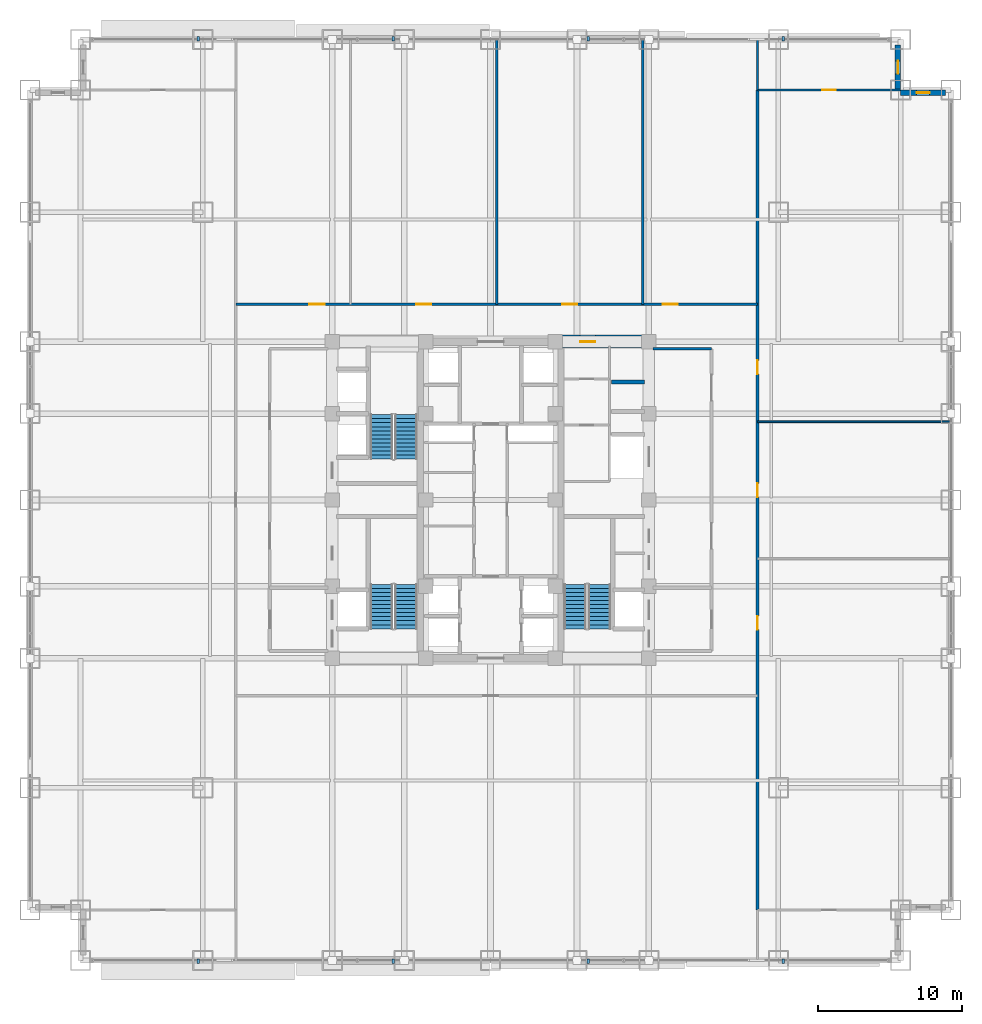
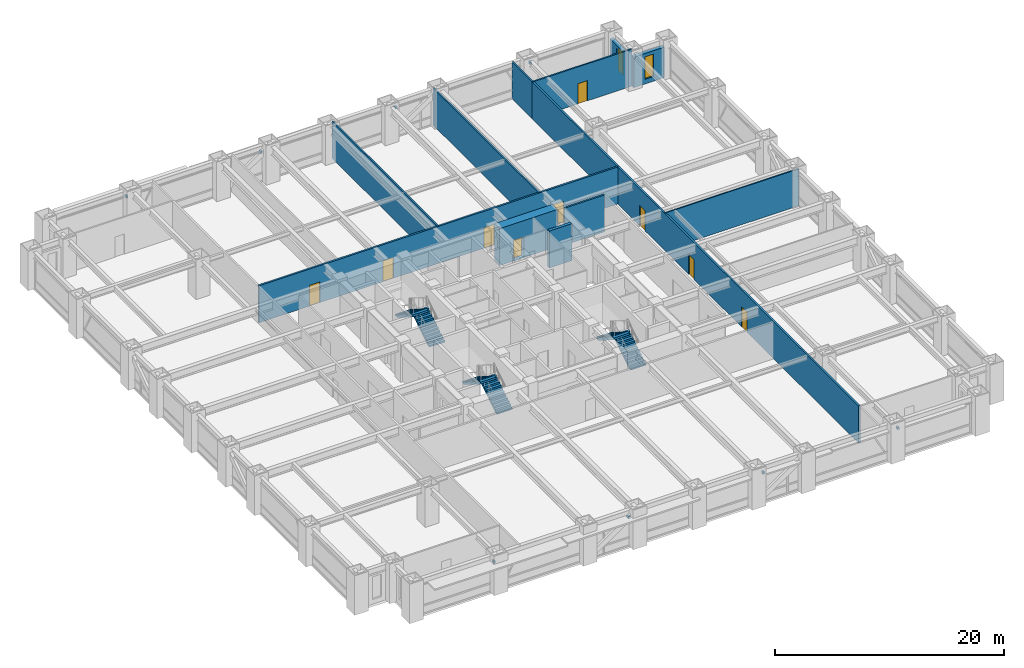
# One storey, part 26 of 31: 12 walls, 9 doors, 8 discrete accessories, 6 stair flights, 2 windows, 11 openings, 3 elements without a shape of their own.
"""IFC4 building model written with IfcOpenShell, lengths in metres."""

from ifc_helpers import new_model, si_unit, direction, frame, frame_2d, origin, origin_2d, place, context, subcontext, project, spatial, polyline, rectangle, outline, extrude, source, transform, mapped, material, layer, layer_set, type_object, element, fill, aggregate, save


model = new_model("IFC4")

# Units and contexts
model_context = context("Model", 3, precision=1e-05, world=origin(), true_north=direction((0.0, 1.0)))
body_context = subcontext(model_context, "Body", "Model", "MODEL_VIEW")
ifc_project = project(units=[si_unit("LENGTHUNIT", "METRE"), si_unit("AREAUNIT", "SQUARE_METRE"), si_unit("VOLUMEUNIT", "CUBIC_METRE"), si_unit("PLANEANGLEUNIT", "RADIAN"), si_unit("MASSUNIT", "GRAM", prefix="KILO")], contexts=[model_context])

# Site, building, storey
site_placement = place(None, origin())
site = spatial("IfcSite", under=ifc_project, at=site_placement, CompositionType="ELEMENT")
building_placement = place(site_placement, origin())
building = spatial("IfcBuilding", under=site, at=building_placement, Name="Khorayat Bourse Tower", CompositionType="ELEMENT")
storey_placement = place(building_placement, frame((0.0, 0.0, 32.60009765625)))
storey = spatial("IfcBuildingStorey", under=building, at=storey_placement, Name="L06", CompositionType="ELEMENT", Elevation=32.60009765625)

# Wall, opening, door
ifc_material_1 = material(Name="Concrete C72/90", Category="concrete")
ifc_layer_1 = layer(ifc_material_1, 0.89990234375)
ifc_layer_set_1 = layer_set([ifc_layer_1], Name="Concrete C72/90")
wall_type_1 = type_object("IfcWallType", Name="WAL-CORE-900", PredefinedType="SHEAR", material=ifc_layer_set_1)
shared_shape_1 = source(origin(), body_context, "Body", "SweptSolid", [
    extrude(rectangle(XDim=5.849853515625, YDim=0.89990234375, at=frame_2d((2.9248046875, 0.0))), origin(), (0.0, 0.0, 1.0), 3.93994140625),
])
wall_1_placement = place(storey_placement, frame((4.85009765625, 11.0, 0.0), z_axis=(0.0, 0.0, 1.0), x_axis=(1.0, 0.0, 0.0)))
wall_1 = element("IfcWall", 1, at=wall_1_placement, inside=storey, type_object=wall_type_1, Name="L06 Core Shear Wall PIER-EN", PredefinedType="SHEAR", context=body_context, shape_type="MappedRepresentation", body=[
    mapped(shared_shape_1, transform((0.0, 0.0, 0.0), scale=1.0)),
])
shared_shape_2 = source(origin(), body_context, "Body", "SweptSolid", [
    extrude(rectangle(XDim=1.050048828125, YDim=2.199951171875, at=frame_2d((0.52490234375, 1.10009765625))), frame((0.0, 0.4599609375, 0.0), z_axis=(0.0, -1.0, 0.0), x_axis=(1.0, 0.0, 0.0)), (0.0, 0.0, 1.0), 0.919921875),
])
opening_1_placement = place(wall_1_placement, frame((1.375, 0.0, 0.0)))
opening_1 = element("IfcOpeningElement", 2, at=opening_1_placement, cuts=wall_1, Name="Opening DI-04", PredefinedType="OPENING", context=body_context, shape_type="MappedRepresentation", body=[
    mapped(shared_shape_2, transform((0.0, 0.0, 0.0), scale=1.0)),
])
ifc_material_2 = material(Name="Fire-rated oak veneer suite entrance door")
door_type_1 = type_object("IfcDoorType", Name="DR-INT-SUITE-1050", OperationType="NOTDEFINED", PredefinedType="DOOR", material=ifc_material_2)
shared_shape_3 = source(origin(), body_context, "Body", "SweptSolid", [
    extrude(rectangle(XDim=1.050048828125, YDim=2.199951171875, at=frame_2d((0.52490234375, 1.10009765625))), frame((0.0, 0.02490234375, 0.0), z_axis=(0.0, -1.0, 0.0), x_axis=(1.0, 0.0, 0.0)), (0.0, 0.0, 1.0), 0.050048828125),
])
door_1_placement = place(opening_1_placement, origin())
door_1 = element("IfcDoor", 3, at=door_1_placement, inside=storey, type_object=door_type_1, Name="L06 Core Washroom Lobby Door", OperationType="SINGLE_SWING_LEFT", OverallHeight=2.199951171875, OverallWidth=1.050048828125, PredefinedType="DOOR", context=body_context, shape_type="MappedRepresentation", body=[
    mapped(shared_shape_3, transform((0.0, 0.0, 0.0), scale=1.0)),
])
fill(opening_1, door_1)

# Wall, opening, window
ifc_material_3 = material(Name="Precast concrete C45/55", Category="concrete")
ifc_layer_2 = layer(ifc_material_3, 0.3798828125)
ifc_layer_set_2 = layer_set([ifc_layer_2], Name="Precast concrete C45/55")
wall_type_2 = type_object("IfcWallType", Name="WAL-EXT-STONE-380", PredefinedType="STANDARD", material=ifc_layer_set_2)
shared_shape_4 = source(origin(), body_context, "Body", "SweptSolid", [
    extrude(rectangle(XDim=3.1201171875, YDim=0.3798828125, at=frame_2d((1.56005859375, 0.0))), origin(), (0.0, 0.0, 1.0), 3.244873046875),
])
wall_2_placement = place(storey_placement, frame((28.5, 28.31005859375, 0.0), z_axis=(0.0, 0.0, 1.0), x_axis=(1.0, 0.0, 0.0)))
wall_2 = element("IfcWall", 4, at=wall_2_placement, inside=storey, type_object=wall_type_2, Name="L06 Re-Entrant Notch Limestone Wall NE-H", PredefinedType="STANDARD", context=body_context, shape_type="MappedRepresentation", body=[
    mapped(shared_shape_4, transform((0.0, 0.0, 0.0), scale=1.0)),
])
shared_shape_5 = source(origin(), body_context, "Body", "SweptSolid", [
    extrude(rectangle(XDim=0.89990234375, YDim=2.39990234375, at=frame_2d((0.449951171875, 1.199951171875))), frame((0.0, 0.199951171875, 0.0), z_axis=(0.0, -1.0, 0.0), x_axis=(1.0, 0.0, 0.0)), (0.0, 0.0, 1.0), 0.39990234375),
])
opening_2_placement = place(wall_2_placement, frame((1.110107421875, 0.0, 0.5)))
opening_2 = element("IfcOpeningElement", 5, at=opening_2_placement, cuts=wall_2, Name="Opening WN-03", PredefinedType="OPENING", context=body_context, shape_type="MappedRepresentation", body=[
    mapped(shared_shape_5, transform((0.0, 0.0, 0.0), scale=1.0)),
])
ifc_material_4 = material(Name="Deep-reveal solar-control double glazing", Category="glass")
window_type = type_object("IfcWindowType", Name="WIN-SLOT-900x2400", PartitioningType="SINGLE_PANEL", PredefinedType="WINDOW", material=ifc_material_4)
shared_shape_6 = source(origin(), body_context, "Body", "SweptSolid", [
    extrude(rectangle(XDim=0.89990234375, YDim=2.39990234375, at=frame_2d((0.449951171875, 1.199951171875))), frame((0.0, 0.030029296875, 0.0), z_axis=(0.0, -1.0, 0.0), x_axis=(1.0, 0.0, 0.0)), (0.0, 0.0, 1.0), 0.06005859375),
])
window_1_placement = place(opening_2_placement, origin())
window_1 = element("IfcWindow", 6, at=window_1_placement, inside=storey, type_object=window_type, Name="L06 Facade Window 1", OverallHeight=2.39990234375, OverallWidth=0.89990234375, PartitioningType="SINGLE_PANEL", PredefinedType="WINDOW", context=body_context, shape_type="MappedRepresentation", body=[
    mapped(shared_shape_6, transform((0.0, 0.0, 0.0), scale=1.0)),
])
fill(opening_2, window_1)

wall_3_placement = place(storey_placement, frame((28.31005859375, 28.5, 0.0), z_axis=(0.0, 0.0, 1.0), x_axis=(0.0, 1.0, 0.0)))
wall_3 = element("IfcWall", 7, at=wall_3_placement, inside=storey, type_object=wall_type_2, Name="L06 Re-Entrant Notch Limestone Wall NE-V", PredefinedType="STANDARD", context=body_context, shape_type="MappedRepresentation", body=[
    mapped(shared_shape_4, transform((0.0, 0.0, 0.0), scale=1.0)),
])
opening_3_placement = place(wall_3_placement, frame((1.110107421875, 0.0, 0.5)))
opening_3 = element("IfcOpeningElement", 8, at=opening_3_placement, cuts=wall_3, Name="Opening WN-03", PredefinedType="OPENING", context=body_context, shape_type="MappedRepresentation", body=[
    mapped(shared_shape_5, transform((0.0, 0.0, 0.0), scale=1.0)),
])
window_2_placement = place(opening_3_placement, origin())
window_2 = element("IfcWindow", 9, at=window_2_placement, inside=storey, type_object=window_type, Name="L06 Facade Window 1", OverallHeight=2.39990234375, OverallWidth=0.89990234375, PartitioningType="SINGLE_PANEL", PredefinedType="WINDOW", context=body_context, shape_type="MappedRepresentation", body=[
    mapped(shared_shape_6, transform((0.0, 0.0, 0.0), scale=1.0)),
])
fill(opening_3, window_2)

# Walls
ifc_material_5 = material(Name="Concrete C50/60", Category="concrete")
ifc_layer_3 = layer(ifc_material_5, 0.300048828125)
ifc_layer_set_3 = layer_set([ifc_layer_3], Name="Concrete C50/60")
wall_type_3 = type_object("IfcWallType", Name="WAL-SHAFT-300", PredefinedType="SHEAR", material=ifc_layer_set_3)
shared_shape_7 = source(origin(), body_context, "Body", "SweptSolid", [
    extrude(rectangle(XDim=2.300048828125, YDim=0.300048828125, at=frame_2d((1.14990234375, 0.0))), origin(), (0.0, 0.0, 1.0), 3.93994140625),
])
wall_4_placement = place(storey_placement, frame((8.39990234375, 8.199951171875, 0.0), z_axis=(0.0, 0.0, 1.0), x_axis=(1.0, 0.0, 0.0)))
element("IfcWall", 10, at=wall_4_placement, inside=storey, type_object=wall_type_3, Name="L06 Partition WAL-L06-EPIER-H34", PredefinedType="SHEAR", context=body_context, shape_type="MappedRepresentation", body=[
    mapped(shared_shape_7, transform((0.0, 0.0, 0.0), scale=1.0)),
])
ifc_material_6 = material(Name="Gypsum plasterboard acoustic stud wall")
ifc_layer_4 = layer(ifc_material_6, 0.179931640625)
ifc_layer_set_4 = layer_set([ifc_layer_4], Name="Gypsum plasterboard acoustic stud wall")
wall_type_4 = type_object("IfcWallType", Name="WAL-PART-CORR-180", PredefinedType="PARTITIONING", material=ifc_layer_set_4)
shared_shape_8 = source(origin(), body_context, "Body", "SweptSolid", [
    extrude(rectangle(XDim=4.050048828125, YDim=0.179931640625, at=frame_2d((2.02490234375, 0.0))), origin(), (0.0, 0.0, 1.0), 3.93994140625),
])
wall_5_placement = place(storey_placement, frame((11.300048828125, 10.5, 0.0), z_axis=(0.0, 0.0, 1.0), x_axis=(1.0, 0.0, 0.0)))
element("IfcWall", 11, at=wall_5_placement, inside=storey, type_object=wall_type_4, Name="L06 Partition WAL-L06-ELOB-N", PredefinedType="PARTITIONING", context=body_context, shape_type="MappedRepresentation", body=[
    mapped(shared_shape_8, transform((0.0, 0.0, 0.0), scale=1.0)),
])

# Wall, openings, doors
shared_shape_9 = source(origin(), body_context, "Body", "SweptSolid", [
    extrude(rectangle(XDim=36.25, YDim=0.179931640625, at=frame_2d((18.125, 0.0))), origin(), (0.0, 0.0, 1.0), 3.93994140625),
])
wall_6_placement = place(storey_placement, frame((-17.699951171875, 13.60009765625, 0.0), z_axis=(0.0, 0.0, 1.0), x_axis=(1.0, 0.0, 0.0)))
wall_6 = element("IfcWall", 12, at=wall_6_placement, inside=storey, type_object=wall_type_4, Name="L06 Partition WAL-L06-NCORR", PredefinedType="PARTITIONING", context=body_context, shape_type="MappedRepresentation", body=[
    mapped(shared_shape_9, transform((0.0, 0.0, 0.0), scale=1.0)),
])
shared_shape_10 = source(origin(), body_context, "Body", "SweptSolid", [
    extrude(rectangle(XDim=1.050048828125, YDim=2.199951171875, at=frame_2d((0.52490234375, 1.10009765625))), frame((0.0, 0.099853515625, 0.0), z_axis=(0.0, -1.0, 0.0), x_axis=(1.0, 0.0, 0.0)), (0.0, 0.0, 1.0), 0.199951171875),
])
opening_4_placement = place(wall_6_placement, frame((5.112548828125, 0.0, 0.0)))
opening_4 = element("IfcOpeningElement", 13, at=opening_4_placement, cuts=wall_6, Name="Opening DI-04", PredefinedType="OPENING", context=body_context, shape_type="MappedRepresentation", body=[
    mapped(shared_shape_10, transform((0.0, 0.0, 0.0), scale=1.0)),
])
opening_5_placement = place(wall_6_placement, frame((12.52490234375, 0.0, 0.0)))
opening_5 = element("IfcOpeningElement", 14, at=opening_5_placement, cuts=wall_6, Name="Opening DI-04", PredefinedType="OPENING", context=body_context, shape_type="MappedRepresentation", body=[
    mapped(shared_shape_10, transform((0.0, 0.0, 0.0), scale=1.0)),
])
opening_6_placement = place(wall_6_placement, frame((22.675048828125, 0.0, 0.0)))
opening_6 = element("IfcOpeningElement", 15, at=opening_6_placement, cuts=wall_6, Name="Opening DI-04", PredefinedType="OPENING", context=body_context, shape_type="MappedRepresentation", body=[
    mapped(shared_shape_10, transform((0.0, 0.0, 0.0), scale=1.0)),
])
opening_7_placement = place(wall_6_placement, frame((29.66259765625, 0.0, 0.0)))
opening_7 = element("IfcOpeningElement", 16, at=opening_7_placement, cuts=wall_6, Name="Opening DI-04", PredefinedType="OPENING", context=body_context, shape_type="MappedRepresentation", body=[
    mapped(shared_shape_10, transform((0.0, 0.0, 0.0), scale=1.0)),
])
door_2_placement = place(opening_4_placement, origin())
door_2 = element("IfcDoor", 17, at=door_2_placement, inside=storey, type_object=door_type_1, Name="L06 Equities Trading Desk N1 Door", OperationType="SINGLE_SWING_RIGHT", OverallHeight=2.199951171875, OverallWidth=1.050048828125, PredefinedType="DOOR", context=body_context, shape_type="MappedRepresentation", body=[
    mapped(shared_shape_3, transform((0.0, 0.0, 0.0), scale=1.0)),
])
fill(opening_4, door_2)
door_3_placement = place(opening_5_placement, origin())
door_3 = element("IfcDoor", 18, at=door_3_placement, inside=storey, type_object=door_type_1, Name="L06 Equities Trading Desk N2 Door", OperationType="SINGLE_SWING_LEFT", OverallHeight=2.199951171875, OverallWidth=1.050048828125, PredefinedType="DOOR", context=body_context, shape_type="MappedRepresentation", body=[
    mapped(shared_shape_3, transform((0.0, 0.0, 0.0), scale=1.0)),
])
fill(opening_5, door_3)
door_4_placement = place(opening_6_placement, origin())
door_4 = element("IfcDoor", 19, at=door_4_placement, inside=storey, type_object=door_type_1, Name="L06 Equities Trading Desk N3 Door", OperationType="SINGLE_SWING_RIGHT", OverallHeight=2.199951171875, OverallWidth=1.050048828125, PredefinedType="DOOR", context=body_context, shape_type="MappedRepresentation", body=[
    mapped(shared_shape_3, transform((0.0, 0.0, 0.0), scale=1.0)),
])
fill(opening_6, door_4)
door_5_placement = place(opening_7_placement, origin())
door_5 = element("IfcDoor", 20, at=door_5_placement, inside=storey, type_object=door_type_1, Name="L06 Staff Tea Pantry N4 Door", OperationType="SINGLE_SWING_LEFT", OverallHeight=2.199951171875, OverallWidth=1.050048828125, PredefinedType="DOOR", context=body_context, shape_type="MappedRepresentation", body=[
    mapped(shared_shape_3, transform((0.0, 0.0, 0.0), scale=1.0)),
])
fill(opening_7, door_5)

# Walls
ifc_material_7 = material(Name="Gypsum plasterboard twin-frame partition")
ifc_layer_5 = layer(ifc_material_7, 0.14990234375)
ifc_layer_set_5 = layer_set([ifc_layer_5], Name="Gypsum plasterboard twin-frame partition")
wall_type_5 = type_object("IfcWallType", Name="WAL-PART-SUITE-150", PredefinedType="PARTITIONING", material=ifc_layer_set_5)
shared_shape_11 = source(origin(), body_context, "Body", "SweptSolid", [
    extrude(rectangle(XDim=18.39990234375, YDim=0.14990234375, at=frame_2d((9.199951171875, 0.0))), origin(), (0.0, 0.0, 1.0), 3.93994140625),
])
for number, where, z_axis, x_axis, name in (
    (21, (0.425048828125, 13.60009765625, 0.0), (0.0, 0.0, 1.0), (0.0, 1.0, 0.0), "L06 Partition WAL-L06-NDV-2"),
    (22, (10.574951171875, 13.60009765625, 0.0), (0.0, 0.0, 1.0), (0.0, 1.0, 0.0), "L06 Partition WAL-L06-NDV-3"),
):
    element("IfcWall", number, at=place(storey_placement, frame(where, z_axis=z_axis, x_axis=x_axis)), inside=storey, type_object=wall_type_5, Name=name, PredefinedType="PARTITIONING", context=body_context, shape_type="MappedRepresentation", body=[
        mapped(shared_shape_11, transform((0.0, 0.0, 0.0), scale=1.0)),
    ])
shared_shape_12 = source(origin(), body_context, "Body", "SweptSolid", [
    extrude(rectangle(XDim=3.5, YDim=0.14990234375, at=frame_2d((1.75, 0.0))), origin(), (0.0, 0.0, 1.0), 3.93994140625),
])
wall_7_placement = place(storey_placement, frame((18.550048828125, 28.5, 0.0), z_axis=(0.0, 0.0, 1.0), x_axis=(0.0, 1.0, 0.0)))
element("IfcWall", 23, at=wall_7_placement, inside=storey, type_object=wall_type_5, Name="L06 Partition WAL-L06-NCE-END", PredefinedType="PARTITIONING", context=body_context, shape_type="MappedRepresentation", body=[
    mapped(shared_shape_12, transform((0.0, 0.0, 0.0), scale=1.0)),
])

# Wall, openings, doors
shared_shape_13 = source(origin(), body_context, "Body", "SweptSolid", [
    extrude(rectangle(XDim=57.0, YDim=0.179931640625, at=frame_2d((28.5, 0.0))), origin(), (0.0, 0.0, 1.0), 3.93994140625),
])
wall_8_placement = place(storey_placement, frame((18.550048828125, -28.5, 0.0), z_axis=(0.0, 0.0, 1.0), x_axis=(0.0, 1.0, 0.0)))
wall_8 = element("IfcWall", 24, at=wall_8_placement, inside=storey, type_object=wall_type_4, Name="L06 Partition WAL-L06-ECORR", PredefinedType="PARTITIONING", context=body_context, shape_type="MappedRepresentation", body=[
    mapped(shared_shape_13, transform((0.0, 0.0, 0.0), scale=1.0)),
])
shared_shape_14 = source(origin(), body_context, "Body", "SweptSolid", [
    extrude(rectangle(XDim=0.949951171875, YDim=2.14990234375, at=frame_2d((0.47509765625, 1.074951171875))), frame((0.0, 0.099853515625, 0.0), z_axis=(0.0, -1.0, 0.0), x_axis=(1.0, 0.0, 0.0)), (0.0, 0.0, 1.0), 0.199951171875),
])
opening_8_placement = place(wall_8_placement, frame((19.485107421875, 0.0, 0.0)))
opening_8 = element("IfcOpeningElement", 25, at=opening_8_placement, cuts=wall_8, Name="Opening DI-05", PredefinedType="OPENING", context=body_context, shape_type="MappedRepresentation", body=[
    mapped(shared_shape_14, transform((0.0, 0.0, 0.0), scale=1.0)),
])
opening_9_placement = place(wall_8_placement, frame((28.705078125, 0.0, 0.0)))
opening_9 = element("IfcOpeningElement", 26, at=opening_9_placement, cuts=wall_8, Name="Opening DI-05", PredefinedType="OPENING", context=body_context, shape_type="MappedRepresentation", body=[
    mapped(shared_shape_14, transform((0.0, 0.0, 0.0), scale=1.0)),
])
opening_10_placement = place(wall_8_placement, frame((37.2451171875, 0.0, 0.0)))
opening_10 = element("IfcOpeningElement", 27, at=opening_10_placement, cuts=wall_8, Name="Opening DI-05", PredefinedType="OPENING", context=body_context, shape_type="MappedRepresentation", body=[
    mapped(shared_shape_14, transform((0.0, 0.0, 0.0), scale=1.0)),
])
ifc_material_8 = material(Name="Acoustic oak veneer office door")
door_type_2 = type_object("IfcDoorType", Name="DR-INT-OFFICE-950", OperationType="NOTDEFINED", PredefinedType="DOOR", material=ifc_material_8)
shared_shape_15 = source(origin(), body_context, "Body", "SweptSolid", [
    extrude(rectangle(XDim=0.949951171875, YDim=2.14990234375, at=frame_2d((0.47509765625, 1.074951171875))), frame((0.0, 0.02490234375, 0.0), z_axis=(0.0, -1.0, 0.0), x_axis=(1.0, 0.0, 0.0)), (0.0, 0.0, 1.0), 0.050048828125),
])
door_6_placement = place(opening_8_placement, origin())
door_6 = element("IfcDoor", 28, at=door_6_placement, inside=storey, type_object=door_type_2, Name="L06 Executive Boardroom E1 Door", OperationType="SINGLE_SWING_RIGHT", OverallHeight=2.14990234375, OverallWidth=0.949951171875, PredefinedType="DOOR", context=body_context, shape_type="MappedRepresentation", body=[
    mapped(shared_shape_15, transform((0.0, 0.0, 0.0), scale=1.0)),
])
fill(opening_8, door_6)
door_7_placement = place(opening_9_placement, origin())
door_7 = element("IfcDoor", 29, at=door_7_placement, inside=storey, type_object=door_type_2, Name="L06 Equities Trading Desk E2 Door", OperationType="SINGLE_SWING_LEFT", OverallHeight=2.14990234375, OverallWidth=0.949951171875, PredefinedType="DOOR", context=body_context, shape_type="MappedRepresentation", body=[
    mapped(shared_shape_15, transform((0.0, 0.0, 0.0), scale=1.0)),
])
fill(opening_9, door_7)
door_8_placement = place(opening_10_placement, origin())
door_8 = element("IfcDoor", 30, at=door_8_placement, inside=storey, type_object=door_type_2, Name="L06 Equities Trading Desk E3 Door", OperationType="SINGLE_SWING_RIGHT", OverallHeight=2.14990234375, OverallWidth=0.949951171875, PredefinedType="DOOR", context=body_context, shape_type="MappedRepresentation", body=[
    mapped(shared_shape_15, transform((0.0, 0.0, 0.0), scale=1.0)),
])
fill(opening_10, door_8)

# Wall
ifc_material_9 = material(Name="Gypsum plasterboard partition")
ifc_layer_6 = layer(ifc_material_9, 0.125)
ifc_layer_set_6 = layer_set([ifc_layer_6], Name="Gypsum plasterboard partition")
wall_type_6 = type_object("IfcWallType", Name="WAL-PART-ROOM-125", PredefinedType="PARTITIONING", material=ifc_layer_set_6)
shared_shape_16 = source(origin(), body_context, "Body", "SweptSolid", [
    extrude(rectangle(XDim=13.449951171875, YDim=0.125, at=frame_2d((6.72509765625, 0.0))), origin(), (0.0, 0.0, 1.0), 3.93994140625),
])
wall_9_placement = place(storey_placement, frame((18.550048828125, 5.43994140625, 0.0), z_axis=(0.0, 0.0, 1.0), x_axis=(1.0, 0.0, 0.0)))
element("IfcWall", 31, at=wall_9_placement, inside=storey, type_object=wall_type_6, Name="L06 Partition WAL-L06-EDV-2", PredefinedType="PARTITIONING", context=body_context, shape_type="MappedRepresentation", body=[
    mapped(shared_shape_16, transform((0.0, 0.0, 0.0), scale=1.0)),
])

# Wall, opening, door
shared_shape_17 = source(origin(), body_context, "Body", "SweptSolid", [
    extrude(rectangle(XDim=9.949951171875, YDim=0.14990234375, at=frame_2d((4.97509765625, 0.0))), origin(), (0.0, 0.0, 1.0), 3.93994140625),
])
wall_10_placement = place(storey_placement, frame((18.550048828125, 28.5, 0.0), z_axis=(0.0, 0.0, 1.0), x_axis=(1.0, 0.0, 0.0)))
wall_10 = element("IfcWall", 32, at=wall_10_placement, inside=storey, type_object=wall_type_5, Name="L06 Partition WAL-L06-CNE", PredefinedType="PARTITIONING", context=body_context, shape_type="MappedRepresentation", body=[
    mapped(shared_shape_17, transform((0.0, 0.0, 0.0), scale=1.0)),
])
shared_shape_18 = source(origin(), body_context, "Body", "SweptSolid", [
    extrude(rectangle(XDim=0.949951171875, YDim=2.14990234375, at=frame_2d((0.47509765625, 1.074951171875))), frame((0.0, 0.0849609375, 0.0), z_axis=(0.0, -1.0, 0.0), x_axis=(1.0, 0.0, 0.0)), (0.0, 0.0, 1.0), 0.169921875),
])
opening_11_placement = place(wall_10_placement, frame((4.5, 0.0, 0.0)))
opening_11 = element("IfcOpeningElement", 33, at=opening_11_placement, cuts=wall_10, Name="Opening DI-05", PredefinedType="OPENING", context=body_context, shape_type="MappedRepresentation", body=[
    mapped(shared_shape_18, transform((0.0, 0.0, 0.0), scale=1.0)),
])
door_9_placement = place(opening_11_placement, origin())
door_9 = element("IfcDoor", 34, at=door_9_placement, inside=storey, type_object=door_type_2, Name="L06 North-East Corner Lounge Door", OperationType="SINGLE_SWING_LEFT", OverallHeight=2.14990234375, OverallWidth=0.949951171875, PredefinedType="DOOR", context=body_context, shape_type="MappedRepresentation", body=[
    mapped(shared_shape_15, transform((0.0, 0.0, 0.0), scale=1.0)),
])
fill(opening_11, door_9)

# Stair, stair flights
ifc_material_10 = material(Name="Concrete C40/50", Category="concrete")
stair_type = type_object("IfcStairType", Name="STR-CORE-1550", PredefinedType="HALF_TURN_STAIR", material=ifc_material_10)
stair_1_placement = place(storey_placement, origin())
stair_1 = element("IfcStair", 35, at=stair_1_placement, inside=storey, type_object=stair_type, Name="L06 Exit Stair ST-1", PredefinedType="HALF_TURN_STAIR")
stair_flight_type = type_object("IfcStairFlightType", Name="FLT-CORE-1550", PredefinedType="STRAIGHT", material=ifc_material_10)
shared_shape_19 = source(origin(), body_context, "Body", "SweptSolid", [
    extrude(outline(polyline([(0.0, 0.0), (0.0, 0.175048828125), (0.280029296875, 0.175048828125), (0.280029296875, 0.35009765625), (0.56005859375, 0.35009765625), (0.56005859375, 0.52490234375), (0.840087890625, 0.52490234375), (0.840087890625, 0.699951171875), (1.1201171875, 0.699951171875), (1.1201171875, 0.875), (1.39990234375, 0.875), (1.39990234375, 1.050048828125), (1.679931640625, 1.050048828125), (1.679931640625, 1.22509765625), (1.9599609375, 1.22509765625), (1.9599609375, 1.39990234375), (2.239990234375, 1.39990234375), (2.239990234375, 1.574951171875), (2.52001953125, 1.574951171875), (2.52001953125, 1.75), (2.800048828125, 1.75), (2.800048828125, 1.925048828125), (3.080078125, 1.925048828125), (3.080078125, 2.10009765625), (3.080078125, 1.712890625), (0.339599609375, 0.0), (0.0, 0.0)])), frame((0.0, 0.77490234375, 0.0), z_axis=(0.0, -1.0, 0.0), x_axis=(1.0, 0.0, 0.0)), (0.0, 0.0, 1.0), 1.550048828125),
])
stair_flight_1_placement = place(storey_placement, frame((-5.875, -8.949951171875, 0.0), z_axis=(0.0, 0.0, 1.0), x_axis=(0.0, 1.0, 0.0)))
stair_flight_1 = element("IfcStairFlight", 36, at=stair_flight_1_placement, type_object=stair_flight_type, Name="ST-1 flight 1", NumberOfRisers=12, NumberOfTreads=11, PredefinedType="STRAIGHT", RiserHeight=0.175, TreadLength=0.28, context=body_context, shape_type="MappedRepresentation", body=[
    mapped(shared_shape_19, transform((0.0, 0.0, 0.0), scale=1.0)),
])
stair_flight_2_placement = place(storey_placement, frame((-7.574951171875, -5.8701171875, 2.099853515625), z_axis=(0.0, 0.0, 1.0), x_axis=(0.0, -1.0, 0.0)))
stair_flight_2 = element("IfcStairFlight", 37, at=stair_flight_2_placement, type_object=stair_flight_type, Name="ST-1 flight 2", NumberOfRisers=12, NumberOfTreads=11, PredefinedType="STRAIGHT", RiserHeight=0.175, TreadLength=0.28, context=body_context, shape_type="MappedRepresentation", body=[
    mapped(shared_shape_19, transform((0.0, 0.0, 0.0), scale=1.0)),
])
aggregate(stair_1, [stair_flight_1, stair_flight_2])

stair_2_placement = place(storey_placement, origin())
stair_2 = element("IfcStair", 38, at=stair_2_placement, inside=storey, type_object=stair_type, Name="L06 Exit Stair ST-2", PredefinedType="HALF_TURN_STAIR")
stair_flight_3_placement = place(storey_placement, frame((-5.875, 2.85009765625, 0.0), z_axis=(0.0, 0.0, 1.0), x_axis=(0.0, 1.0, 0.0)))
stair_flight_3 = element("IfcStairFlight", 39, at=stair_flight_3_placement, type_object=stair_flight_type, Name="ST-2 flight 1", NumberOfRisers=12, NumberOfTreads=11, PredefinedType="STRAIGHT", RiserHeight=0.175, TreadLength=0.28, context=body_context, shape_type="MappedRepresentation", body=[
    mapped(shared_shape_19, transform((0.0, 0.0, 0.0), scale=1.0)),
])
stair_flight_4_placement = place(storey_placement, frame((-7.574951171875, 5.929931640625, 2.099853515625), z_axis=(0.0, 0.0, 1.0), x_axis=(0.0, -1.0, 0.0)))
stair_flight_4 = element("IfcStairFlight", 40, at=stair_flight_4_placement, type_object=stair_flight_type, Name="ST-2 flight 2", NumberOfRisers=12, NumberOfTreads=11, PredefinedType="STRAIGHT", RiserHeight=0.175, TreadLength=0.28, context=body_context, shape_type="MappedRepresentation", body=[
    mapped(shared_shape_19, transform((0.0, 0.0, 0.0), scale=1.0)),
])
aggregate(stair_2, [stair_flight_3, stair_flight_4])

stair_3_placement = place(storey_placement, origin())
stair_3 = element("IfcStair", 41, at=stair_3_placement, inside=storey, type_object=stair_type, Name="L06 Exit Stair ST-3", PredefinedType="HALF_TURN_STAIR")
stair_flight_5_placement = place(storey_placement, frame((7.574951171875, -8.949951171875, 0.0), z_axis=(0.0, 0.0, 1.0), x_axis=(0.0, 1.0, 0.0)))
stair_flight_5 = element("IfcStairFlight", 42, at=stair_flight_5_placement, type_object=stair_flight_type, Name="ST-3 flight 1", NumberOfRisers=12, NumberOfTreads=11, PredefinedType="STRAIGHT", RiserHeight=0.175, TreadLength=0.28, context=body_context, shape_type="MappedRepresentation", body=[
    mapped(shared_shape_19, transform((0.0, 0.0, 0.0), scale=1.0)),
])
stair_flight_6_placement = place(storey_placement, frame((5.875, -5.8701171875, 2.099853515625), z_axis=(0.0, 0.0, 1.0), x_axis=(0.0, -1.0, 0.0)))
stair_flight_6 = element("IfcStairFlight", 43, at=stair_flight_6_placement, type_object=stair_flight_type, Name="ST-3 flight 2", NumberOfRisers=12, NumberOfTreads=11, PredefinedType="STRAIGHT", RiserHeight=0.175, TreadLength=0.28, context=body_context, shape_type="MappedRepresentation", body=[
    mapped(shared_shape_19, transform((0.0, 0.0, 0.0), scale=1.0)),
])
aggregate(stair_3, [stair_flight_5, stair_flight_6])

# Discrete accessories
ifc_material_11 = material(Name="Steel EN 10025-2 S355J2", Category="steel")
discrete_accessory_type = type_object("IfcDiscreteAccessoryType", Name="ACC-SHADE-BRACKET", PredefinedType="BRACKET", material=ifc_material_11)
shared_shape_20 = source(origin(), body_context, "Body", "SweptSolid", [
    extrude(rectangle(XDim=0.179931640625, YDim=0.300048828125, at=origin_2d()), origin(), (0.0, 0.0, 1.0), 0.239990234375),
])
for number, where, z_axis, x_axis, name in (
    (44, (-20.324951171875, -32.06005859375, 3.0400390625), (0.0, 0.0, 1.0), (1.0, 0.0, 0.0), "L06 Sunshade Support Bracket S-1"),
    (45, (-6.77490234375, -32.06005859375, 3.0400390625), (0.0, 0.0, 1.0), (1.0, 0.0, 0.0), "L06 Sunshade Support Bracket S-2"),
    (46, (6.77490234375, -32.06005859375, 3.0400390625), (0.0, 0.0, 1.0), (1.0, 0.0, 0.0), "L06 Sunshade Support Bracket S-3"),
    (47, (20.324951171875, -32.06005859375, 3.0400390625), (0.0, 0.0, 1.0), (1.0, 0.0, 0.0), "L06 Sunshade Support Bracket S-4"),
    (48, (-20.324951171875, 32.06005859375, 3.0400390625), (0.0, 0.0, 1.0), (1.0, 0.0, 0.0), "L06 Sunshade Support Bracket N-1"),
    (49, (-6.77490234375, 32.06005859375, 3.0400390625), (0.0, 0.0, 1.0), (1.0, 0.0, 0.0), "L06 Sunshade Support Bracket N-2"),
    (50, (6.77490234375, 32.06005859375, 3.0400390625), (0.0, 0.0, 1.0), (1.0, 0.0, 0.0), "L06 Sunshade Support Bracket N-3"),
    (51, (20.324951171875, 32.06005859375, 3.0400390625), (0.0, 0.0, 1.0), (1.0, 0.0, 0.0), "L06 Sunshade Support Bracket N-4"),
):
    element("IfcDiscreteAccessory", number, at=place(storey_placement, frame(where, z_axis=z_axis, x_axis=x_axis)), inside=storey, type_object=discrete_accessory_type, Name=name, PredefinedType="BRACKET", context=body_context, shape_type="MappedRepresentation", body=[
        mapped(shared_shape_20, transform((0.0, 0.0, 0.0), scale=1.0)),
    ])

save(model, "model.ifc")
